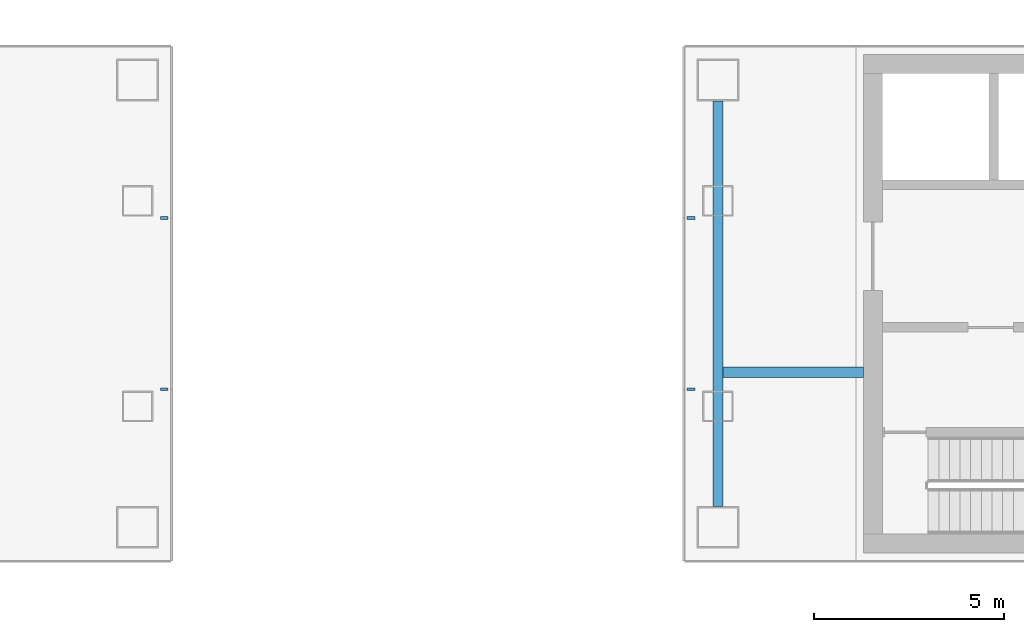
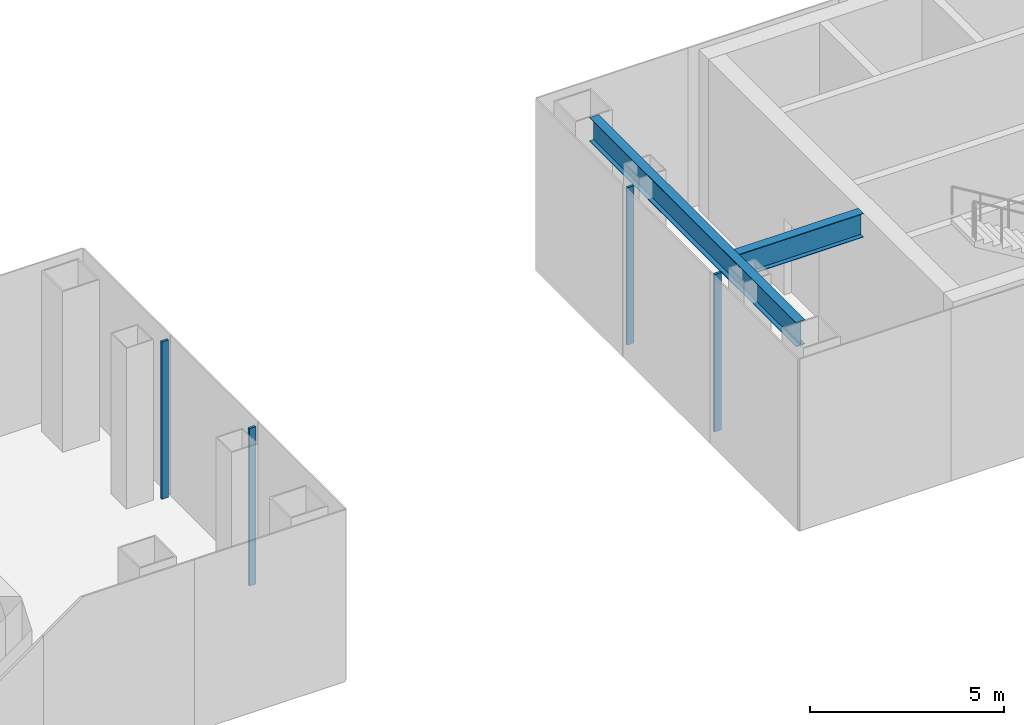
# One storey, part 4 of 15: 4 members, 2 beams, 2 elements without a shape of their own.
"""IFC4 building model written with IfcOpenShell, lengths in metres."""

from ifc_helpers import new_model, si_unit, direction, frame, origin, origin_2d, place, context, subcontext, project, spatial, rectangle, i_section, extrude, material, layer, layer_set, material_profile, profile_set, type_object, element, aggregate, save


model = new_model("IFC4")

# Units and contexts
model_context = context("Model", 3, precision=1e-05, world=origin(), true_north=direction((0.0, 1.0)))
body_context = subcontext(model_context, "Body", "Model", "MODEL_VIEW")
ifc_project = project(units=[si_unit("LENGTHUNIT", "METRE"), si_unit("AREAUNIT", "SQUARE_METRE"), si_unit("VOLUMEUNIT", "CUBIC_METRE"), si_unit("PLANEANGLEUNIT", "RADIAN"), si_unit("MASSUNIT", "GRAM", prefix="KILO")], contexts=[model_context])

# Site, building, storey
site_placement = place(None, origin())
site = spatial("IfcSite", under=ifc_project, at=site_placement, CompositionType="ELEMENT")
building_placement = place(site_placement, origin())
building = spatial("IfcBuilding", under=site, at=building_placement, Name="Shamsa Quay Exchange Towers", CompositionType="ELEMENT")
storey_placement = place(building_placement, frame((0.0, 0.0, 133.5)))
storey = spatial("IfcBuildingStorey", under=building, at=storey_placement, Name="L31", CompositionType="ELEMENT", Elevation=133.5)

# Curtain wall, members
ifc_material_1 = material(Name="Aluminium EN AW-6063 T6, black anodised", Category="aluminium")
ifc_layer = layer(ifc_material_1, 0.31396484375)
ifc_layer_set = layer_set([ifc_layer], Name="CW-6 TALL STOREY GLAZING")
curtain_wall_type = type_object("IfcCurtainWallType", Name="CW-6 TALL STOREY GLAZING", PredefinedType="NOTDEFINED", material=ifc_layer_set)
curtain_wall_1_placement = place(storey_placement, origin())
curtain_wall_1 = element("IfcCurtainWall", 1, at=curtain_wall_1_placement, inside=storey, type_object=curtain_wall_type, Name="CW6 T1-END-U+ L31", PredefinedType="NOTDEFINED")
ifc_material_profile_1 = material_profile(ifc_material_1, rectangle(XDim=0.199951171875, YDim=0.070068359375, at=origin_2d()), Name="MU70x200")
ifc_profile_set_1 = profile_set([ifc_material_profile_1], Name="Aluminium EN AW-6063 T6, black anodised")
member_type = type_object("IfcMemberType", Name="CW6 MULLION 70x200", PredefinedType="MULLION", material=ifc_profile_set_1)
member_1_placement = place(storey_placement, frame((-4.669921875, -2.25, 0.0), z_axis=(0.0, 0.0, 1.0), x_axis=(-1.0, 0.0, 0.0)))
member_1 = element("IfcMember", 2, at=member_1_placement, type_object=member_type, Name="CW6 mullion", PredefinedType="MULLION", context=body_context, shape_type="SweptSolid", body=[
    extrude(rectangle(XDim=0.199951171875, YDim=0.070068359375, at=origin_2d()), origin(), (0.0, 0.0, 1.0), 4.949951171875),
])
member_2_placement = place(storey_placement, frame((-4.669921875, 2.25, 0.0), z_axis=(0.0, 0.0, 1.0), x_axis=(-1.0, 0.0, 0.0)))
member_2 = element("IfcMember", 3, at=member_2_placement, type_object=member_type, Name="CW6 mullion", PredefinedType="MULLION", context=body_context, shape_type="SweptSolid", body=[
    extrude(rectangle(XDim=0.199951171875, YDim=0.070068359375, at=origin_2d()), origin(), (0.0, 0.0, 1.0), 4.949951171875),
])
aggregate(curtain_wall_1, [member_1, member_2])

curtain_wall_2_placement = place(storey_placement, origin())
curtain_wall_2 = element("IfcCurtainWall", 4, at=curtain_wall_2_placement, inside=storey, type_object=curtain_wall_type, Name="CW6 T2-END-V+ L31", PredefinedType="NOTDEFINED")
member_3_placement = place(storey_placement, frame((9.169921875, 2.25, 0.0)))
member_3 = element("IfcMember", 5, at=member_3_placement, type_object=member_type, Name="CW6 mullion", PredefinedType="MULLION", context=body_context, shape_type="SweptSolid", body=[
    extrude(rectangle(XDim=0.199951171875, YDim=0.070068359375, at=origin_2d()), origin(), (0.0, 0.0, 1.0), 4.949951171875),
])
member_4_placement = place(storey_placement, frame((9.169921875, -2.25, 0.0)))
member_4 = element("IfcMember", 6, at=member_4_placement, type_object=member_type, Name="CW6 mullion", PredefinedType="MULLION", context=body_context, shape_type="SweptSolid", body=[
    extrude(rectangle(XDim=0.199951171875, YDim=0.070068359375, at=origin_2d()), origin(), (0.0, 0.0, 1.0), 4.949951171875),
])
aggregate(curtain_wall_2, [member_3, member_4])

# Beams
ifc_material_2 = material(Name="Steel S355", Category="steel")
ifc_material_profile_2 = material_profile(ifc_material_2, i_section(OverallWidth=0.26611328125, OverallDepth=0.7578125, WebThickness=0.013916015625, FlangeThickness=0.019287109375, at=origin_2d()), Name="W30x108")
ifc_profile_set_2 = profile_set([ifc_material_profile_2], Name="Steel S355")
beam_type = type_object("IfcBeamType", Name="End-zone beam W30x108", PredefinedType="BEAM", material=ifc_profile_set_2)
beam_1_placement = place(storey_placement, frame((9.875, -5.324951171875, 4.671142578125), z_axis=(0.0, 1.0, 0.0), x_axis=(-1.0, 0.0, 0.0)))
element("IfcBeam", 7, at=beam_1_placement, inside=storey, type_object=beam_type, Name="End beam T2 V+ end zone L31", PredefinedType="BEAM", context=body_context, shape_type="SweptSolid", body=[
    extrude(i_section(OverallWidth=0.26611328125, OverallDepth=0.7578125, WebThickness=0.013916015625, FlangeThickness=0.019287109375, at=origin_2d()), origin(), (0.0, 0.0, 1.0), 10.64990234375),
])
beam_2_placement = place(storey_placement, frame((13.699951171875, -1.800048828125, 4.671142578125), z_axis=(-1.0, 0.0, 0.0), x_axis=(0.0, -1.0, 0.0)))
element("IfcBeam", 8, at=beam_2_placement, inside=storey, type_object=beam_type, Name="Spine beam T2 V+ end zone L31", PredefinedType="BEAM", context=body_context, shape_type="SweptSolid", body=[
    extrude(i_section(OverallWidth=0.26611328125, OverallDepth=0.7578125, WebThickness=0.013916015625, FlangeThickness=0.019287109375, at=origin_2d()), origin(), (0.0, 0.0, 1.0), 3.69189453125),
])

save(model, "model.ifc")
